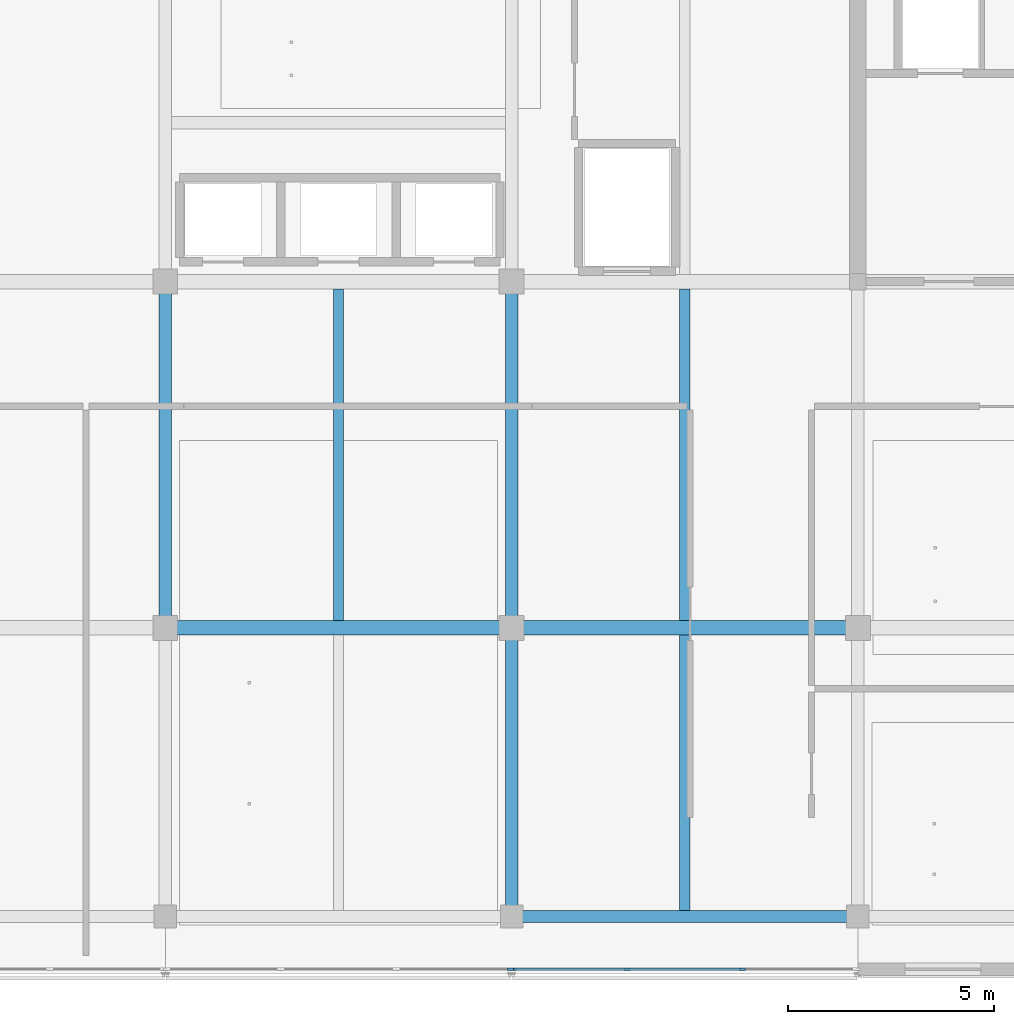
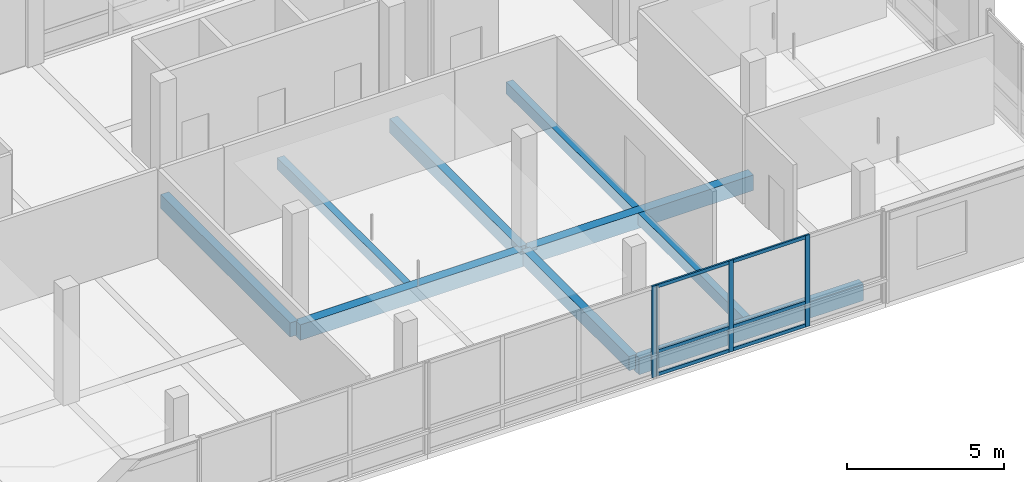
# One storey, part 3 of 25: 10 members, 9 beams, 2 elements without a shape of their own.
"""IFC4 building model written with IfcOpenShell, lengths in metres."""

import ifcopenshell
import ifcopenshell.guid

model = None  # the IFC model being written
_history = None  # IfcOwnerHistory: only IFC2X3 demands one
_inside = {}  # id of a spatial element -> (the spatial element, [elements in it])
_under = {}  # id of a project, library or spatial element -> (it, [spatial elements below it])
_declared = {}  # id of a project -> (the project, [libraries it declares])
_typed = {}  # id of a type object -> (the type object, [elements of that type])
_made_of = {}  # id of a material, layer set ... -> (it, [elements and type objects made of it])


def new_model(schema):
    """Start an empty IFC model of exactly this schema.

    Asked for "IFC4X3", IfcOpenShell would pick the latest addendum, in which some entities
    have other attributes; the version numbers below select the first issue.
    IFC2X3 requires an IfcOwnerHistory on every rooted entity: one is made here for all.
    """
    global model, _history
    if schema == "IFC4X3":
        model = ifcopenshell.file(schema_version=(4, 3, 0, 0))
    else:
        model = ifcopenshell.file(schema=schema)
    _inside.clear()
    _under.clear()
    _declared.clear()
    _typed.clear()
    _made_of.clear()
    _history = None
    if model.schema == "IFC2X3":
        org = make("IfcOrganization", Name="unknown")
        user = make(
            "IfcPersonAndOrganization",
            ThePerson=make("IfcPerson", FamilyName="unknown"),
            TheOrganization=org,
        )
        app = make(
            "IfcApplication",
            ApplicationDeveloper=org,
            Version="unknown",
            ApplicationFullName="unknown",
            ApplicationIdentifier="unknown",
        )
        _history = make(
            "IfcOwnerHistory",
            OwningUser=user,
            OwningApplication=app,
            ChangeAction="ADDED",
            CreationDate=0,
        )
    return model


def make(cls, **values):
    """One entity of the class cls with the attributes given. An attribute that is None is left unset."""
    return model.create_entity(
        cls, **{name: value for name, value in values.items() if value is not None}
    )


def rooted(cls, **values):
    """An entity with a GlobalId (a new one), such as an element, a storey or a relation."""
    return make(cls, GlobalId=ifcopenshell.guid.new(), OwnerHistory=_history, **values)


def si_unit(unit_type, name, prefix=None):
    """IfcSIUnit, for example si_unit("LENGTHUNIT", "METRE", prefix="MILLI")."""
    return make("IfcSIUnit", UnitType=unit_type, Prefix=prefix, Name=name)


def assignment(units):
    """IfcUnitAssignment: the units of a project."""
    return None if units is None else make("IfcUnitAssignment", Units=units)


def point(xyz):
    """IfcCartesianPoint."""
    return None if xyz is None else make("IfcCartesianPoint", Coordinates=xyz)


def direction(xyz):
    """IfcDirection."""
    return None if xyz is None else make("IfcDirection", DirectionRatios=xyz)


def frame(location, z_axis=None, x_axis=None):
    """IfcAxis2Placement3D, a coordinate frame: its origin and axes. An axis left out is left unset."""
    return make(
        "IfcAxis2Placement3D",
        Location=point(location),
        Axis=direction(z_axis),
        RefDirection=direction(x_axis),
    )


def frame_2d(location, x_axis=None):
    """IfcAxis2Placement2D, a coordinate frame in the plane: its origin and x axis."""
    return make(
        "IfcAxis2Placement2D", Location=point(location), RefDirection=direction(x_axis)
    )


def origin():
    """The frame at (0, 0, 0) with its axes left unset."""
    return frame((0.0, 0.0, 0.0))


def origin_2d():
    """The frame at (0, 0) in the plane with its x axis left unset."""
    return frame_2d((0.0, 0.0))


def place(relative_to, where):
    """IfcLocalPlacement: puts the frame where relative to a parent placement (None: the world)."""
    return make(
        "IfcLocalPlacement", PlacementRelTo=relative_to, RelativePlacement=where
    )


def context(
    kind, dimensions, precision=None, world=None, true_north=None, identifier=None
):
    """IfcGeometricRepresentationContext, for example the 3D "Model" context."""
    return make(
        "IfcGeometricRepresentationContext",
        ContextIdentifier=identifier,
        ContextType=kind,
        CoordinateSpaceDimension=dimensions,
        Precision=precision,
        WorldCoordinateSystem=world,
        TrueNorth=true_north,
    )


def subcontext(parent, identifier, kind, view, scale=None):
    """IfcGeometricRepresentationSubContext, for example "Body" below "Model"."""
    return make(
        "IfcGeometricRepresentationSubContext",
        ContextIdentifier=identifier,
        ContextType=kind,
        ParentContext=parent,
        TargetScale=scale,
        TargetView=view,
    )


def project(units=None, contexts=None):
    """IfcProject with its units and contexts."""
    return rooted(
        "IfcProject",
        Name="project",
        RepresentationContexts=contexts,
        UnitsInContext=assignment(units),
    )


def spatial(cls, under=None, at=None, **own):
    """A site, building, storey or space (cls), placed at a placement, below another one or the project."""
    s = rooted(cls, ObjectPlacement=at, **own)
    if under is not None:
        _under.setdefault(under.id(), (under, []))[1].append(s)
    return s


def profile(cls, at=None, kind="AREA", **sizes):
    """A parametric profile (cls). Its sizes go by their IFC names, for example OverallWidth=200.0."""
    return make(cls, ProfileType=kind, Position=at, **sizes)


def rectangle(**sizes):
    """IfcRectangleProfileDef."""
    return profile("IfcRectangleProfileDef", **sizes)


def extrude(swept, where, along, depth):
    """IfcExtrudedAreaSolid: the profile swept, set in the frame where, extruded along a direction by depth."""
    return make(
        "IfcExtrudedAreaSolid",
        SweptArea=swept,
        Position=where,
        ExtrudedDirection=direction(along),
        Depth=depth,
    )


def shape(context_of_items, identifier, shape_type, items):
    """IfcShapeRepresentation: the items that make up one representation, for example the "Body"."""
    return make(
        "IfcShapeRepresentation",
        ContextOfItems=context_of_items,
        RepresentationIdentifier=identifier,
        RepresentationType=shape_type,
        Items=items,
    )


def material(Name=None, Category=None):
    """IfcMaterial."""
    return make("IfcMaterial", Name=Name, Category=Category)


def layer(
    of_material, thickness, ventilated=None, Name=None, Category=None, Priority=None
):
    """IfcMaterialLayer: one layer of a wall or slab, of a material (None: an air gap)."""
    return make(
        "IfcMaterialLayer",
        Material=of_material,
        LayerThickness=thickness,
        IsVentilated=ventilated,
        Name=Name,
        Category=Category,
        Priority=Priority,
    )


def layer_set(layers, Name=None):
    """IfcMaterialLayerSet."""
    return make("IfcMaterialLayerSet", MaterialLayers=layers, LayerSetName=Name)


def material_profile(
    of_material, cross_section, Name=None, Category=None, Priority=None
):
    """IfcMaterialProfile: a cross section and its material."""
    return make(
        "IfcMaterialProfile",
        Name=Name,
        Material=of_material,
        Profile=cross_section,
        Priority=Priority,
        Category=Category,
    )


def profile_set(profiles, Name=None, composite=None):
    """IfcMaterialProfileSet."""
    return make(
        "IfcMaterialProfileSet",
        Name=Name,
        MaterialProfiles=profiles,
        CompositeProfile=composite,
    )


def made_of(thing, what):
    """Note that an element or type object is made of a material, layer set ...; save() writes the relation."""
    if what is not None:
        _made_of.setdefault(what.id(), (what, []))[1].append(thing)
    return thing


def type_object(cls, material=None, **own):
    """A type object (cls), such as IfcWallType, which elements share."""
    return made_of(rooted(cls, **own), material)


def element(
    cls,
    number,
    at=None,
    inside=None,
    cuts=None,
    type_object=None,
    material=None,
    context=None,
    identifier="Body",
    shape_type=None,
    held_by="IfcProductDefinitionShape",
    body=None,
    shapes=None,
    **own,
):
    """One element of the class cls, such as IfcWall. Its Tag is "e" and its number.

    at: its placement. inside: the storey or other place that contains it. cuts: it is an
    opening in that element (IfcRelVoidsElement). A single representation is given by context,
    identifier, shape_type and body (its items); several are given by shapes. held_by: the class
    of the entity that holds the representations. save() writes the other relations.
    """
    e = rooted(cls, Tag="e%d" % number, ObjectPlacement=at, **own)
    if body is not None:
        shapes = [shape(context, identifier, shape_type, body)]
    if shapes is not None:
        e.Representation = make(held_by, Representations=shapes)
    if inside is not None:
        _inside.setdefault(inside.id(), (inside, []))[1].append(e)
    if cuts is not None:
        rooted(
            "IfcRelVoidsElement", RelatingBuildingElement=cuts, RelatedOpeningElement=e
        )
    if type_object is not None:
        _typed.setdefault(type_object.id(), (type_object, []))[1].append(e)
    return made_of(e, material)


def aggregate(whole, parts):
    """IfcRelAggregates: a whole, such as a stair, and the parts it consists of."""
    return rooted("IfcRelAggregates", RelatingObject=whole, RelatedObjects=parts)


def save(model, path):
    """Write the relations noted so far, then the file.

    IfcRelAggregates (storeys below a building ...), IfcRelContainedInSpatialStructure (elements
    in a storey), IfcRelDefinesByType, IfcRelAssociatesMaterial and IfcRelDeclares: one each for
    every whole, place, type object, material and project.
    """
    for whole, parts in _under.values():
        aggregate(whole, parts)
    for where, things in _inside.values():
        rooted(
            "IfcRelContainedInSpatialStructure",
            RelatedElements=things,
            RelatingStructure=where,
        )
    for kind, things in _typed.values():
        rooted("IfcRelDefinesByType", RelatedObjects=things, RelatingType=kind)
    for what, things in _made_of.values():
        rooted("IfcRelAssociatesMaterial", RelatedObjects=things, RelatingMaterial=what)
    for by, libraries in _declared.values():
        rooted("IfcRelDeclares", RelatingContext=by, RelatedDefinitions=libraries)
    model.write(path)


model = new_model("IFC4")

# Units and contexts
model_context = context("Model", 3, precision=1e-05, world=origin(), true_north=direction((0.0, 1.0)))
body_context = subcontext(model_context, "Body", "Model", "MODEL_VIEW")
ifc_project = project(units=[si_unit("LENGTHUNIT", "METRE"), si_unit("AREAUNIT", "SQUARE_METRE"), si_unit("VOLUMEUNIT", "CUBIC_METRE"), si_unit("PLANEANGLEUNIT", "RADIAN"), si_unit("MASSUNIT", "GRAM", prefix="KILO")], contexts=[model_context])

# Site, building, storey
site_placement = place(None, origin())
site = spatial("IfcSite", under=ifc_project, at=site_placement, CompositionType="ELEMENT")
building_placement = place(site_placement, origin())
building = spatial("IfcBuilding", under=site, at=building_placement, Name="Telukmera Botanical Conservatory", CompositionType="ELEMENT")
storey_placement = place(building_placement, frame((0.0, 0.0, 64.5)))
storey = spatial("IfcBuildingStorey", under=building, at=storey_placement, Name="L14", CompositionType="ELEMENT", Elevation=64.5)

# Beams
ifc_material_1 = material(Name="Concrete C40/50", Category="concrete")
ifc_material_profile_1 = material_profile(ifc_material_1, rectangle(XDim=0.300048828125, YDim=0.550048828125, at=origin_2d()), Name="RC 300x550")
ifc_profile_set_1 = profile_set([ifc_material_profile_1], Name="Concrete C40/50")
beam_type_1 = type_object("IfcBeamType", Name="Beam_B10", PredefinedType="BEAM", material=ifc_profile_set_1)
beam_1_placement = place(storey_placement, frame((75.60009765625, 17.679931640625, -0.27490234375), z_axis=(0.0, 1.0, 0.0), x_axis=(-1.0, 0.0, 0.0)))
element("IfcBeam", 1, at=beam_1_placement, inside=storey, type_object=beam_type_1, Name="Tower Transverse Beam L14", PredefinedType="BEAM", context=body_context, shape_type="SweptSolid", body=[
    extrude(rectangle(XDim=0.300048828125, YDim=0.550048828125, at=origin_2d()), origin(), (0.0, 0.0, 1.0), 8.239990234375),
])
beam_2_placement = place(storey_placement, frame((84.0, 10.679931640625, -0.27490234375), z_axis=(0.0, 1.0, 0.0), x_axis=(-1.0, 0.0, 0.0)))
element("IfcBeam", 2, at=beam_2_placement, inside=storey, type_object=beam_type_1, Name="Tower Transverse Beam L14", PredefinedType="BEAM", context=body_context, shape_type="SweptSolid", body=[
    extrude(rectangle(XDim=0.300048828125, YDim=0.550048828125, at=origin_2d()), origin(), (0.0, 0.0, 1.0), 6.840087890625),
])
beam_3_placement = place(storey_placement, frame((84.0, 17.679931640625, -0.27490234375), z_axis=(0.0, 1.0, 0.0), x_axis=(-1.0, 0.0, 0.0)))
element("IfcBeam", 3, at=beam_3_placement, inside=storey, type_object=beam_type_1, Name="Tower Transverse Beam L14", PredefinedType="BEAM", context=body_context, shape_type="SweptSolid", body=[
    extrude(rectangle(XDim=0.300048828125, YDim=0.550048828125, at=origin_2d()), origin(), (0.0, 0.0, 1.0), 8.239990234375),
])
ifc_material_profile_2 = material_profile(ifc_material_1, rectangle(XDim=0.25, YDim=0.449951171875, at=origin_2d()), Name="RC 250x450")
ifc_profile_set_2 = profile_set([ifc_material_profile_2], Name="Concrete C40/50")
beam_type_2 = type_object("IfcBeamType", Name="Beam_B27", PredefinedType="JOIST", material=ifc_profile_set_2)
beam_4_placement = place(storey_placement, frame((79.800048828125, 17.77490234375, -0.22509765625), z_axis=(0.0, 1.0, 0.0), x_axis=(-1.0, 0.0, 0.0)))
element("IfcBeam", 4, at=beam_4_placement, inside=storey, type_object=beam_type_2, Name="Tower Secondary Floor Joist L14", PredefinedType="JOIST", context=body_context, shape_type="SweptSolid", body=[
    extrude(rectangle(XDim=0.25, YDim=0.449951171875, at=origin_2d()), origin(), (0.0, 0.0, 1.0), 8.050048828125),
])
beam_5_placement = place(storey_placement, frame((88.199951171875, 10.75, -0.22509765625), z_axis=(0.0, 1.0, 0.0), x_axis=(-1.0, 0.0, 0.0)))
element("IfcBeam", 5, at=beam_5_placement, inside=storey, type_object=beam_type_2, Name="Tower Secondary Floor Joist L14", PredefinedType="JOIST", context=body_context, shape_type="SweptSolid", body=[
    extrude(rectangle(XDim=0.25, YDim=0.449951171875, at=origin_2d()), origin(), (0.0, 0.0, 1.0), 6.675048828125),
])
beam_6_placement = place(storey_placement, frame((88.199951171875, 17.77490234375, -0.22509765625), z_axis=(0.0, 1.0, 0.0), x_axis=(-1.0, 0.0, 0.0)))
element("IfcBeam", 6, at=beam_6_placement, inside=storey, type_object=beam_type_2, Name="Tower Secondary Floor Joist L14", PredefinedType="JOIST", context=body_context, shape_type="SweptSolid", body=[
    extrude(rectangle(XDim=0.25, YDim=0.449951171875, at=origin_2d()), origin(), (0.0, 0.0, 1.0), 8.050048828125),
])
ifc_material_profile_3 = material_profile(ifc_material_1, rectangle(XDim=0.35009765625, YDim=0.60009765625, at=origin_2d()), Name="RC 350x600")
ifc_profile_set_3 = profile_set([ifc_material_profile_3], Name="Concrete C40/50")
beam_type_3 = type_object("IfcBeamType", Name="Beam_B9", PredefinedType="BEAM", material=ifc_profile_set_3)
for number, where, z_axis, x_axis, name in (
    (7, (75.679931640625, 17.60009765625, -0.300048828125), (1.0, 0.0, 0.0), (0.0, 1.0, 0.0), "Tower Grid Beam L14"),
    (8, (84.080078125, 17.60009765625, -0.300048828125), (1.0, 0.0, 0.0), (0.0, 1.0, 0.0), "Tower Grid Beam L14"),
):
    element("IfcBeam", number, at=place(storey_placement, frame(where, z_axis=z_axis, x_axis=x_axis)), inside=storey, type_object=beam_type_3, Name=name, PredefinedType="BEAM", context=body_context, shape_type="SweptSolid", body=[
        extrude(rectangle(XDim=0.35009765625, YDim=0.60009765625, at=origin_2d()), origin(), (0.0, 0.0, 1.0), 8.239990234375),
    ])
ifc_material_2 = material(Name="Precast concrete C40/50", Category="concrete")
ifc_material_profile_4 = material_profile(ifc_material_2, rectangle(XDim=0.300048828125, YDim=0.64990234375, at=origin_2d()), Name="PC 300x650")
ifc_profile_set_4 = profile_set([ifc_material_profile_4], Name="Precast concrete C40/50")
beam_type_4 = type_object("IfcBeamType", Name="Beam_SP4", PredefinedType="SPANDREL", material=ifc_profile_set_4)
beam_7_placement = place(storey_placement, frame((84.080078125, 10.60009765625, -0.324951171875), z_axis=(1.0, 0.0, 0.0), x_axis=(0.0, 1.0, 0.0)))
element("IfcBeam", 9, at=beam_7_placement, inside=storey, type_object=beam_type_4, Name="Tower Grid Beam L14", PredefinedType="SPANDREL", context=body_context, shape_type="SweptSolid", body=[
    extrude(rectangle(XDim=0.300048828125, YDim=0.64990234375, at=origin_2d()), origin(), (0.0, 0.0, 1.0), 8.239990234375),
])

# Curtain wall, member
ifc_material_3 = material(Name="Anodised aluminium 6063-T6", Category="aluminium")
ifc_layer = layer(ifc_material_3, 0.179931640625)
ifc_layer_set = layer_set([ifc_layer], Name="Anodised aluminium 6063-T6")
curtain_wall_type = type_object("IfcCurtainWallType", Name="Tower Sky Gallery Panoramic Curtain Wall", PredefinedType="USERDEFINED", material=ifc_layer_set)
curtain_wall_1_placement = place(storey_placement, origin())
curtain_wall_1 = element("IfcCurtainWall", 10, at=curtain_wall_1_placement, inside=storey, type_object=curtain_wall_type, Name="Unitised Curtain Wall CW16 V4:L14:S3", ObjectType="UNITISED CURTAIN WALL", PredefinedType="USERDEFINED")
ifc_material_profile_5 = material_profile(ifc_material_3, rectangle(XDim=0.06494140625, YDim=0.159912109375, at=origin_2d()), Name="ALU MULL 65x160")
ifc_profile_set_5 = profile_set([ifc_material_profile_5], Name="Anodised aluminium 6063-T6")
member_type_1 = type_object("IfcMemberType", Name="Curtain Wall Extruded Mullion 65x160", PredefinedType="MULLION", material=ifc_profile_set_5)
member_1_placement = place(storey_placement, frame((83.965576171875, 9.320068359375, 0.0), z_axis=(0.0, 0.0, 1.0), x_axis=(0.0, 1.0, 0.0)))
member_1 = element("IfcMember", 11, at=member_1_placement, type_object=member_type_1, Name="CW16 mullion 4", PredefinedType="MULLION", context=body_context, shape_type="SweptSolid", body=[
    extrude(rectangle(XDim=0.06494140625, YDim=0.159912109375, at=origin_2d()), origin(), (0.0, 0.0, 1.0), 3.550048828125),
])
aggregate(curtain_wall_1, [member_1])

# Curtain wall, members
curtain_wall_2_placement = place(storey_placement, origin())
curtain_wall_2 = element("IfcCurtainWall", 12, at=curtain_wall_2_placement, inside=storey, type_object=curtain_wall_type, Name="Unitised Curtain Wall CW16 V4:L14:S4", ObjectType="UNITISED CURTAIN WALL", PredefinedType="USERDEFINED")
member_2_placement = place(storey_placement, frame((84.034423828125, 9.320068359375, 0.0), z_axis=(0.0, 0.0, 1.0), x_axis=(0.0, 1.0, 0.0)))
member_2 = element("IfcMember", 13, at=member_2_placement, type_object=member_type_1, Name="CW16 mullion 1", PredefinedType="MULLION", context=body_context, shape_type="SweptSolid", body=[
    extrude(rectangle(XDim=0.06494140625, YDim=0.159912109375, at=origin_2d()), origin(), (0.0, 0.0, 1.0), 3.550048828125),
])
member_3_placement = place(storey_placement, frame((86.80078125, 9.320068359375, 0.0), z_axis=(0.0, 0.0, 1.0), x_axis=(0.0, 1.0, 0.0)))
member_3 = element("IfcMember", 14, at=member_3_placement, type_object=member_type_1, Name="CW16 mullion 2", PredefinedType="MULLION", context=body_context, shape_type="SweptSolid", body=[
    extrude(rectangle(XDim=0.06494140625, YDim=0.159912109375, at=origin_2d()), origin(), (0.0, 0.0, 1.0), 3.550048828125),
])
member_4_placement = place(storey_placement, frame((89.599365234375, 9.320068359375, 0.0), z_axis=(0.0, 0.0, 1.0), x_axis=(0.0, 1.0, 0.0)))
member_4 = element("IfcMember", 15, at=member_4_placement, type_object=member_type_1, Name="CW16 mullion 3", PredefinedType="MULLION", context=body_context, shape_type="SweptSolid", body=[
    extrude(rectangle(XDim=0.06494140625, YDim=0.159912109375, at=origin_2d()), origin(), (0.0, 0.0, 1.0), 3.550048828125),
])
ifc_material_profile_6 = material_profile(ifc_material_3, rectangle(XDim=0.06494140625, YDim=0.1298828125, at=origin_2d()), Name="ALU TRAN 65x130")
ifc_profile_set_6 = profile_set([ifc_material_profile_6], Name="Anodised aluminium 6063-T6")
member_type_2 = type_object("IfcMemberType", Name="Curtain Wall Extruded Transom 65x130", PredefinedType="USERDEFINED", material=ifc_profile_set_6)
member_5_placement = place(storey_placement, frame((84.06689453125, 9.320068359375, 0.06494140625), z_axis=(1.0, 0.0, 0.0), x_axis=(0.0, 1.0, 0.0)))
member_5 = element("IfcMember", 16, at=member_5_placement, type_object=member_type_2, Name="CW16 transom 1.1", ObjectType="TRANSOM", PredefinedType="USERDEFINED", context=body_context, shape_type="SweptSolid", body=[
    extrude(rectangle(XDim=0.06494140625, YDim=0.1298828125, at=origin_2d()), origin(), (0.0, 0.0, 1.0), 2.701171875),
])
member_6_placement = place(storey_placement, frame((84.06689453125, 9.320068359375, 0.949951171875), z_axis=(1.0, 0.0, 0.0), x_axis=(0.0, 1.0, 0.0)))
member_6 = element("IfcMember", 17, at=member_6_placement, type_object=member_type_2, Name="CW16 transom 1.2", ObjectType="TRANSOM", PredefinedType="USERDEFINED", context=body_context, shape_type="SweptSolid", body=[
    extrude(rectangle(XDim=0.06494140625, YDim=0.1298828125, at=origin_2d()), origin(), (0.0, 0.0, 1.0), 2.701171875),
])
member_7_placement = place(storey_placement, frame((84.06689453125, 9.320068359375, 3.485107421875), z_axis=(1.0, 0.0, 0.0), x_axis=(0.0, 1.0, 0.0)))
member_7 = element("IfcMember", 18, at=member_7_placement, type_object=member_type_2, Name="CW16 transom 1.3", ObjectType="TRANSOM", PredefinedType="USERDEFINED", context=body_context, shape_type="SweptSolid", body=[
    extrude(rectangle(XDim=0.06494140625, YDim=0.1298828125, at=origin_2d()), origin(), (0.0, 0.0, 1.0), 2.701171875),
])
member_8_placement = place(storey_placement, frame((86.833251953125, 9.320068359375, 0.06494140625), z_axis=(1.0, 0.0, 0.0), x_axis=(0.0, 1.0, 0.0)))
member_8 = element("IfcMember", 19, at=member_8_placement, type_object=member_type_2, Name="CW16 transom 2.1", ObjectType="TRANSOM", PredefinedType="USERDEFINED", context=body_context, shape_type="SweptSolid", body=[
    extrude(rectangle(XDim=0.06494140625, YDim=0.1298828125, at=origin_2d()), origin(), (0.0, 0.0, 1.0), 2.733642578125),
])
member_9_placement = place(storey_placement, frame((86.833251953125, 9.320068359375, 0.949951171875), z_axis=(1.0, 0.0, 0.0), x_axis=(0.0, 1.0, 0.0)))
member_9 = element("IfcMember", 20, at=member_9_placement, type_object=member_type_2, Name="CW16 transom 2.2", ObjectType="TRANSOM", PredefinedType="USERDEFINED", context=body_context, shape_type="SweptSolid", body=[
    extrude(rectangle(XDim=0.06494140625, YDim=0.1298828125, at=origin_2d()), origin(), (0.0, 0.0, 1.0), 2.733642578125),
])
member_10_placement = place(storey_placement, frame((86.833251953125, 9.320068359375, 3.485107421875), z_axis=(1.0, 0.0, 0.0), x_axis=(0.0, 1.0, 0.0)))
member_10 = element("IfcMember", 21, at=member_10_placement, type_object=member_type_2, Name="CW16 transom 2.3", ObjectType="TRANSOM", PredefinedType="USERDEFINED", context=body_context, shape_type="SweptSolid", body=[
    extrude(rectangle(XDim=0.06494140625, YDim=0.1298828125, at=origin_2d()), origin(), (0.0, 0.0, 1.0), 2.733642578125),
])
aggregate(curtain_wall_2, [member_2, member_3, member_4, member_5, member_6, member_7, member_8, member_9, member_10])

save(model, "model.ifc")
